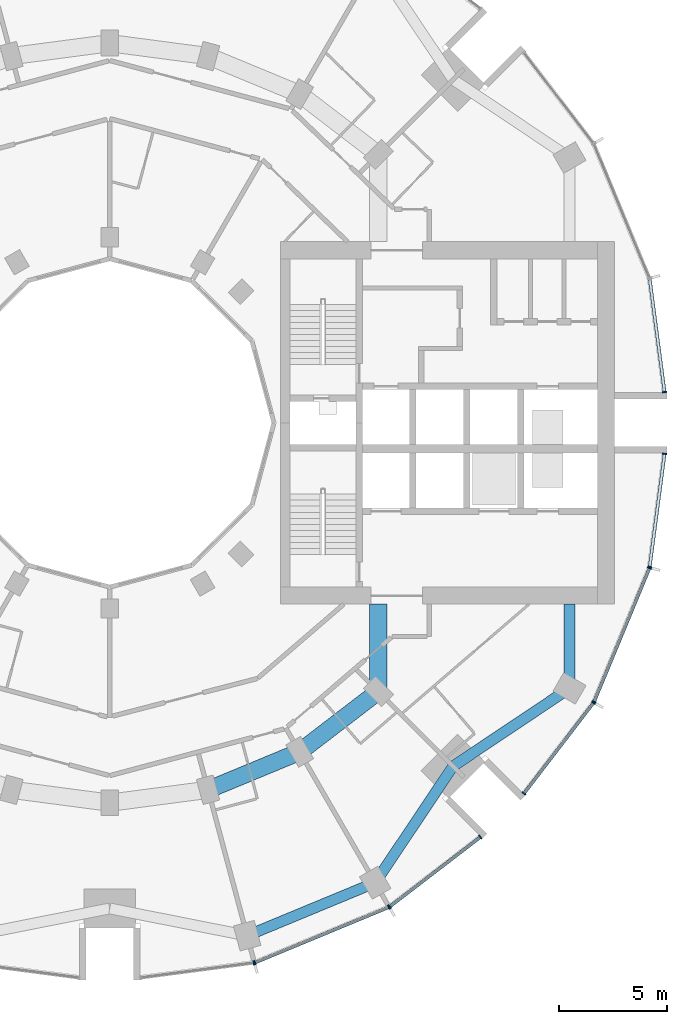
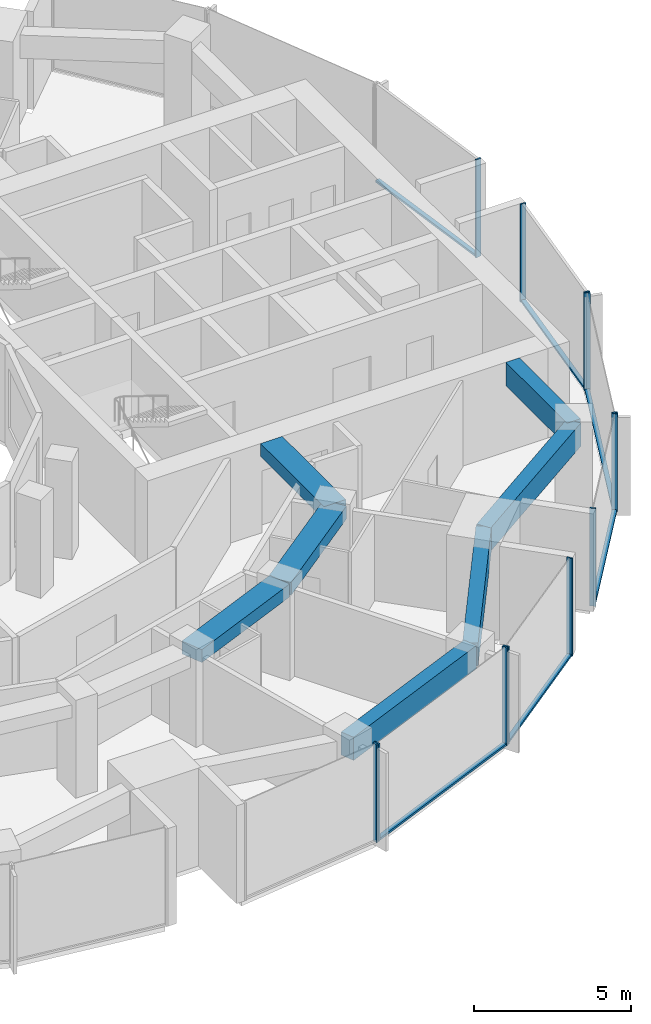
# One storey, part 4 of 15: 18 members, 7 beams, 7 elements without a shape of their own.
"""IFC4 building model written with IfcOpenShell, lengths in metres."""

from ifc_helpers import new_model, si_unit, direction, frame, origin, origin_2d, place, context, subcontext, project, spatial, rectangle, extrude, material, layer, layer_set, material_profile, profile_set, type_object, element, aggregate, save


model = new_model("IFC4")

# Units and contexts
model_context = context("Model", 3, precision=1e-05, world=origin(), true_north=direction((0.0, 1.0)))
body_context = subcontext(model_context, "Body", "Model", "MODEL_VIEW")
ifc_project = project(units=[si_unit("LENGTHUNIT", "METRE"), si_unit("AREAUNIT", "SQUARE_METRE"), si_unit("VOLUMEUNIT", "CUBIC_METRE"), si_unit("PLANEANGLEUNIT", "RADIAN"), si_unit("MASSUNIT", "GRAM", prefix="KILO")], contexts=[model_context])

# Site, building, storey
site_placement = place(None, origin())
site = spatial("IfcSite", under=ifc_project, at=site_placement, CompositionType="ELEMENT")
building_placement = place(site_placement, origin())
building = spatial("IfcBuilding", under=site, at=building_placement, Name="Torre Brocal", CompositionType="ELEMENT")
storey_placement = place(building_placement, frame((0.0, 0.0, 93.800048828125)))
storey = spatial("IfcBuildingStorey", under=building, at=storey_placement, Name="L21", CompositionType="ELEMENT", Elevation=93.800048828125)

# Curtain wall, member
ifc_material_1 = material(Name="Aluminium and glass", Category="aluminium")
ifc_layer_1 = layer(ifc_material_1, 0.199951171875)
ifc_layer_set_1 = layer_set([ifc_layer_1], Name="Aluminium and glass")
curtain_wall_type_1 = type_object("IfcCurtainWallType", Name="CW-1 CURTAIN WALL 3800 HIGH", PredefinedType="NOTDEFINED", material=ifc_layer_set_1)
curtain_wall_1_placement = place(storey_placement, origin())
curtain_wall_1 = element("IfcCurtainWall", 1, at=curtain_wall_1_placement, inside=storey, type_object=curtain_wall_type_1, Name="CW-1 RUN 19", PredefinedType="NOTDEFINED")
ifc_material_2 = material(Name="Aluminium, dark anodised", Category="aluminium")
ifc_material_profile_1 = material_profile(ifc_material_2, rectangle(XDim=0.199951171875, YDim=0.06005859375, at=origin_2d()), Name="CW-1 MULLION 60X200")
ifc_profile_set_1 = profile_set([ifc_material_profile_1], Name="Aluminium, dark anodised")
member_type_1 = type_object("IfcMemberType", Name="CW-1 MULLION 60X200", PredefinedType="MULLION", material=ifc_profile_set_1)
member_1_placement = place(storey_placement, frame((86.67333984375, 49.9794921875, 0.0), z_axis=(0.0, 0.0, 1.0), x_axis=(-0.13052619222, 0.991444861374, 0.0)))
member_1 = element("IfcMember", 2, at=member_1_placement, type_object=member_type_1, Name="CW1-1 mullion 2", PredefinedType="MULLION", context=body_context, shape_type="SweptSolid", body=[
    extrude(rectangle(XDim=0.199951171875, YDim=0.06005859375, at=origin_2d()), origin(), (0.0, 0.0, 1.0), 3.800048828125),
])
aggregate(curtain_wall_1, [member_1])

# Curtain wall, members
curtain_wall_2_placement = place(storey_placement, origin())
curtain_wall_2 = element("IfcCurtainWall", 3, at=curtain_wall_2_placement, inside=storey, type_object=curtain_wall_type_1, Name="CW-1 RUN 20", PredefinedType="NOTDEFINED")
member_2_placement = place(storey_placement, frame((86.73095703125, 49.994873046875, 0.0), z_axis=(0.0, 0.0, 1.0), x_axis=(-0.382683432333, 0.923879532525, 0.0)))
member_2 = element("IfcMember", 4, at=member_2_placement, type_object=member_type_1, Name="CW1-1 mullion 1", PredefinedType="MULLION", context=body_context, shape_type="SweptSolid", body=[
    extrude(rectangle(XDim=0.199951171875, YDim=0.06005859375, at=origin_2d()), origin(), (0.0, 0.0, 1.0), 3.800048828125),
])
member_3_placement = place(storey_placement, frame((92.921875, 52.559326171875, 0.0), z_axis=(0.0, 0.0, 1.0), x_axis=(-0.382683432333, 0.923879532525, 0.0)))
member_3 = element("IfcMember", 5, at=member_3_placement, type_object=member_type_1, Name="CW1-1 mullion 2", PredefinedType="MULLION", context=body_context, shape_type="SweptSolid", body=[
    extrude(rectangle(XDim=0.199951171875, YDim=0.06005859375, at=origin_2d()), origin(), (0.0, 0.0, 1.0), 3.800048828125),
])

curtain_wall_3_placement = place(storey_placement, origin())
curtain_wall_3 = element("IfcCurtainWall", 6, at=curtain_wall_3_placement, inside=storey, type_object=curtain_wall_type_1, Name="CW-1 RUN 21", PredefinedType="NOTDEFINED")
member_4_placement = place(storey_placement, frame((92.973388671875, 52.5888671875, 0.0), z_axis=(0.0, 0.0, 1.0), x_axis=(-0.60876142905, 0.793353340259, 0.0)))
member_4 = element("IfcMember", 7, at=member_4_placement, type_object=member_type_1, Name="CW1-1 mullion 1", PredefinedType="MULLION", context=body_context, shape_type="SweptSolid", body=[
    extrude(rectangle(XDim=0.199951171875, YDim=0.06005859375, at=origin_2d()), origin(), (0.0, 0.0, 1.0), 3.800048828125),
])
member_5_placement = place(storey_placement, frame((97.16943359375, 55.80859375, 0.0), z_axis=(0.0, 0.0, 1.0), x_axis=(-0.60876142905, 0.793353340259, 0.0)))
member_5 = element("IfcMember", 8, at=member_5_placement, type_object=member_type_1, Name="CW1-1 mullion 2", PredefinedType="MULLION", context=body_context, shape_type="SweptSolid", body=[
    extrude(rectangle(XDim=0.199951171875, YDim=0.06005859375, at=origin_2d()), origin(), (0.0, 0.0, 1.0), 3.800048828125),
])

curtain_wall_4_placement = place(storey_placement, origin())
curtain_wall_4 = element("IfcCurtainWall", 9, at=curtain_wall_4_placement, inside=storey, type_object=curtain_wall_type_1, Name="CW-1 RUN 22", PredefinedType="NOTDEFINED")
member_6_placement = place(storey_placement, frame((99.19140625, 57.83056640625, 0.0), z_axis=(0.0, 0.0, 1.0), x_axis=(-0.793353340259, 0.60876142905, 0.0)))
member_6 = element("IfcMember", 10, at=member_6_placement, type_object=member_type_1, Name="CW1-1 mullion 1", PredefinedType="MULLION", context=body_context, shape_type="SweptSolid", body=[
    extrude(rectangle(XDim=0.199951171875, YDim=0.06005859375, at=origin_2d()), origin(), (0.0, 0.0, 1.0), 3.800048828125),
])
member_7_placement = place(storey_placement, frame((102.4111328125, 62.026611328125, 0.0), z_axis=(0.0, 0.0, 1.0), x_axis=(-0.793353340259, 0.60876142905, 0.0)))
member_7 = element("IfcMember", 11, at=member_7_placement, type_object=member_type_1, Name="CW1-1 mullion 2", PredefinedType="MULLION", context=body_context, shape_type="SweptSolid", body=[
    extrude(rectangle(XDim=0.199951171875, YDim=0.06005859375, at=origin_2d()), origin(), (0.0, 0.0, 1.0), 3.800048828125),
])

curtain_wall_5_placement = place(storey_placement, origin())
curtain_wall_5 = element("IfcCurtainWall", 12, at=curtain_wall_5_placement, inside=storey, type_object=curtain_wall_type_1, Name="CW-1 RUN 23", PredefinedType="NOTDEFINED")
member_8_placement = place(storey_placement, frame((102.440673828125, 62.078125, 0.0), z_axis=(0.0, 0.0, 1.0), x_axis=(-0.923879532525, 0.382683432333, 0.0)))
member_8 = element("IfcMember", 13, at=member_8_placement, type_object=member_type_1, Name="CW1-1 mullion 1", PredefinedType="MULLION", context=body_context, shape_type="SweptSolid", body=[
    extrude(rectangle(XDim=0.199951171875, YDim=0.06005859375, at=origin_2d()), origin(), (0.0, 0.0, 1.0), 3.800048828125),
])
member_9_placement = place(storey_placement, frame((105.005126953125, 68.26904296875, 0.0), z_axis=(0.0, 0.0, 1.0), x_axis=(-0.923879532525, 0.382683432333, 0.0)))
member_9 = element("IfcMember", 14, at=member_9_placement, type_object=member_type_1, Name="CW1-1 mullion 2", PredefinedType="MULLION", context=body_context, shape_type="SweptSolid", body=[
    extrude(rectangle(XDim=0.199951171875, YDim=0.06005859375, at=origin_2d()), origin(), (0.0, 0.0, 1.0), 3.800048828125),
])

# Member
ifc_material_3 = material(Name="Aluminium, dark anodised", Category="aluminium")
ifc_material_profile_2 = material_profile(ifc_material_3, rectangle(XDim=0.159912109375, YDim=0.080078125, at=origin_2d()), Name="CW-1 TRANSOM 160X80")
ifc_profile_set_2 = profile_set([ifc_material_profile_2], Name="Aluminium, dark anodised")
member_type_2 = type_object("IfcMemberType", Name="CW-1 TRANSOM 160X80", PredefinedType="USERDEFINED", material=ifc_profile_set_2)
member_10_placement = place(storey_placement, frame((86.758544921875, 50.00634765625, 0.0400390625), z_axis=(0.923887344364, 0.38266457234, 0.0), x_axis=(-0.38266457234, 0.923887344364, 0.0)))
member_10 = element("IfcMember", 15, at=member_10_placement, type_object=member_type_2, Name="CW1-1 transom 1.1", ObjectType="TRANSOM", PredefinedType="USERDEFINED", context=body_context, shape_type="SweptSolid", body=[
    extrude(rectangle(XDim=0.159912109375, YDim=0.080078125, at=origin_2d()), origin(), (0.0, 0.0, 1.0), 6.640869140625),
])

aggregate(curtain_wall_2, [member_2, member_3, member_10])

member_11_placement = place(storey_placement, frame((92.9970703125, 52.607177734375, 0.0400390625), z_axis=(0.79336281513, 0.60874908096, 0.0), x_axis=(-0.60874908096, 0.79336281513, 0.0)))
member_11 = element("IfcMember", 16, at=member_11_placement, type_object=member_type_2, Name="CW1-1 transom 1.1", ObjectType="TRANSOM", PredefinedType="USERDEFINED", context=body_context, shape_type="SweptSolid", body=[
    extrude(rectangle(XDim=0.159912109375, YDim=0.080078125, at=origin_2d()), origin(), (0.0, 0.0, 1.0), 5.22900390625),
])

aggregate(curtain_wall_3, [member_4, member_5, member_11])

member_12_placement = place(storey_placement, frame((99.209716796875, 57.8544921875, 0.0400390625), z_axis=(0.60874908096, 0.79336281513, 0.0), x_axis=(-0.79336281513, 0.60874908096, 0.0)))
member_12 = element("IfcMember", 17, at=member_12_placement, type_object=member_type_2, Name="CW1-1 transom 1.1", ObjectType="TRANSOM", PredefinedType="USERDEFINED", context=body_context, shape_type="SweptSolid", body=[
    extrude(rectangle(XDim=0.159912109375, YDim=0.080078125, at=origin_2d()), origin(), (0.0, 0.0, 1.0), 5.22900390625),
])

aggregate(curtain_wall_4, [member_6, member_7, member_12])

member_13_placement = place(storey_placement, frame((102.452392578125, 62.10595703125, 0.0400390625), z_axis=(0.38266457234, 0.923887344364, 0.0), x_axis=(-0.923887344364, 0.38266457234, 0.0)))
member_13 = element("IfcMember", 18, at=member_13_placement, type_object=member_type_2, Name="CW1-1 transom 1.1", ObjectType="TRANSOM", PredefinedType="USERDEFINED", context=body_context, shape_type="SweptSolid", body=[
    extrude(rectangle(XDim=0.159912109375, YDim=0.080078125, at=origin_2d()), origin(), (0.0, 0.0, 1.0), 6.640869140625),
])

aggregate(curtain_wall_5, [member_8, member_9, member_13])

# Curtain wall, member
ifc_material_4 = material(Name="Aluminium and glass", Category="aluminium")
ifc_layer_2 = layer(ifc_material_4, 0.199951171875)
ifc_layer_set_2 = layer_set([ifc_layer_2], Name="Aluminium and glass")
curtain_wall_type_2 = type_object("IfcCurtainWallType", Name="CW-1B CURTAIN WALL 3800 HIGH", PredefinedType="NOTDEFINED", material=ifc_layer_set_2)
curtain_wall_6_placement = place(storey_placement, origin())
curtain_wall_6 = element("IfcCurtainWall", 19, at=curtain_wall_6_placement, inside=storey, type_object=curtain_wall_type_2, Name="CW-1B RUN 1", PredefinedType="NOTDEFINED")
ifc_material_5 = material(Name="Aluminium, dark anodised", Category="aluminium")
ifc_material_profile_3 = material_profile(ifc_material_5, rectangle(XDim=0.199951171875, YDim=0.06005859375, at=origin_2d()), Name="CW-1B MULLION 60X200")
ifc_profile_set_3 = profile_set([ifc_material_profile_3], Name="Aluminium, dark anodised")
member_type_3 = type_object("IfcMemberType", Name="CW-1B MULLION 60X200", PredefinedType="MULLION", material=ifc_profile_set_3)
member_14_placement = place(storey_placement, frame((105.7109375, 76.4296875, 0.0), z_axis=(0.0, 0.0, 1.0), x_axis=(-0.991444861374, -0.13052619222, 0.0)))
member_14 = element("IfcMember", 20, at=member_14_placement, type_object=member_type_3, Name="CW1B-1 mullion 1", PredefinedType="MULLION", context=body_context, shape_type="SweptSolid", body=[
    extrude(rectangle(XDim=0.199951171875, YDim=0.06005859375, at=origin_2d()), origin(), (0.0, 0.0, 1.0), 3.800048828125),
])

# Curtain wall, members
curtain_wall_7_placement = place(storey_placement, origin())
curtain_wall_7 = element("IfcCurtainWall", 21, at=curtain_wall_7_placement, inside=storey, type_object=curtain_wall_type_2, Name="CW-1B RUN 24", PredefinedType="NOTDEFINED")
member_15_placement = place(storey_placement, frame((105.0205078125, 68.32666015625, 0.0), z_axis=(0.0, 0.0, 1.0), x_axis=(-0.991444861374, 0.13052619222, 0.0)))
member_15 = element("IfcMember", 22, at=member_15_placement, type_object=member_type_3, Name="CW1B-1 mullion 1", PredefinedType="MULLION", context=body_context, shape_type="SweptSolid", body=[
    extrude(rectangle(XDim=0.199951171875, YDim=0.06005859375, at=origin_2d()), origin(), (0.0, 0.0, 1.0), 3.800048828125),
])
member_16_placement = place(storey_placement, frame((105.7109375, 73.5703125, 0.0), z_axis=(0.0, 0.0, 1.0), x_axis=(-0.991444861374, 0.13052619222, 0.0)))
member_16 = element("IfcMember", 23, at=member_16_placement, type_object=member_type_3, Name="CW1B-1 mullion 2", PredefinedType="MULLION", context=body_context, shape_type="SweptSolid", body=[
    extrude(rectangle(XDim=0.199951171875, YDim=0.06005859375, at=origin_2d()), origin(), (0.0, 0.0, 1.0), 3.800048828125),
])

# Member
ifc_material_6 = material(Name="Aluminium, dark anodised", Category="aluminium")
ifc_material_profile_4 = material_profile(ifc_material_6, rectangle(XDim=0.159912109375, YDim=0.080078125, at=origin_2d()), Name="CW-1B TRANSOM 160X80")
ifc_profile_set_4 = profile_set([ifc_material_profile_4], Name="Aluminium, dark anodised")
member_type_4 = type_object("IfcMemberType", Name="CW-1B TRANSOM 160X80", PredefinedType="USERDEFINED", material=ifc_profile_set_4)
member_17_placement = place(storey_placement, frame((105.70703125, 76.45947265625, 0.0400390625), z_axis=(-0.130542677827, 0.991442690863, 0.0), x_axis=(-0.991442690863, -0.130542677827, 0.0)))
member_17 = element("IfcMember", 24, at=member_17_placement, type_object=member_type_4, Name="CW1B-1 transom 1.1", ObjectType="TRANSOM", PredefinedType="USERDEFINED", context=body_context, shape_type="SweptSolid", body=[
    extrude(rectangle(XDim=0.159912109375, YDim=0.080078125, at=origin_2d()), origin(), (0.0, 0.0, 1.0), 5.22900390625),
])

aggregate(curtain_wall_6, [member_14, member_17])

member_18_placement = place(storey_placement, frame((105.0244140625, 68.356201171875, 0.0400390625), z_axis=(0.130542677827, 0.991442690863, 0.0), x_axis=(-0.991442690863, 0.130542677827, 0.0)))
member_18 = element("IfcMember", 25, at=member_18_placement, type_object=member_type_4, Name="CW1B-1 transom 1.1", ObjectType="TRANSOM", PredefinedType="USERDEFINED", context=body_context, shape_type="SweptSolid", body=[
    extrude(rectangle(XDim=0.159912109375, YDim=0.080078125, at=origin_2d()), origin(), (0.0, 0.0, 1.0), 5.22900390625),
])

aggregate(curtain_wall_7, [member_15, member_16, member_18])

# Beams
ifc_material_7 = material(Name="Concrete C50", Category="concrete")
ifc_material_profile_5 = material_profile(ifc_material_7, rectangle(XDim=0.800048828125, YDim=0.5, at=origin_2d()), Name="RC 800X500")
ifc_profile_set_5 = profile_set([ifc_material_profile_5], Name="Concrete C50")
beam_type_1 = type_object("IfcBeamType", Name="RC BEAM 800X500 C50 TOP 3480", PredefinedType="BEAM", material=ifc_profile_set_5)
beam_1_placement = place(storey_placement, frame((84.55517578125, 57.999755859375, 3.22998046875), z_axis=(0.923878240166, 0.382686552348, 0.0), x_axis=(-0.382686552348, 0.923878240166, 0.0)))
element("IfcBeam", 26, at=beam_1_placement, inside=storey, type_object=beam_type_1, Name="Beam BT-19", PredefinedType="BEAM", context=body_context, shape_type="SweptSolid", body=[
    extrude(rectangle(XDim=0.800048828125, YDim=0.5, at=origin_2d()), origin(), (0.0, 0.0, 1.0), 4.5947265625),
])
beam_2_placement = place(storey_placement, frame((88.800048828125, 59.758056640625, 3.22998046875), z_axis=(0.793358265959, 0.6087550097, 0.0), x_axis=(-0.6087550097, 0.793358265959, 0.0)))
element("IfcBeam", 27, at=beam_2_placement, inside=storey, type_object=beam_type_1, Name="Beam BT-19", PredefinedType="BEAM", context=body_context, shape_type="SweptSolid", body=[
    extrude(rectangle(XDim=0.800048828125, YDim=0.5, at=origin_2d()), origin(), (0.0, 0.0, 1.0), 4.594482421875),
])
beam_3_placement = place(storey_placement, frame((92.445068359375, 62.554931640625, 3.22998046875), z_axis=(0.0, 1.0, 0.0), x_axis=(-1.0, 0.0, 0.0)))
element("IfcBeam", 28, at=beam_3_placement, inside=storey, type_object=beam_type_1, Name="Beam BT-19", PredefinedType="BEAM", context=body_context, shape_type="SweptSolid", body=[
    extrude(rectangle(XDim=0.800048828125, YDim=0.5, at=origin_2d()), origin(), (0.0, 0.0, 1.0), 4.045166015625),
])
ifc_material_8 = material(Name="Concrete C50", Category="concrete")
ifc_material_profile_6 = material_profile(ifc_material_8, rectangle(XDim=0.5, YDim=0.89990234375, at=origin_2d()), Name="RC 500X900")
ifc_profile_set_6 = profile_set([ifc_material_profile_6], Name="Concrete C50")
beam_type_2 = type_object("IfcBeamType", Name="RC SPANDREL BEAM 500X900 C50 TOP 3480", PredefinedType="SPANDREL", material=ifc_profile_set_6)
beam_4_placement = place(storey_placement, frame((86.366943359375, 51.23828125, 3.030029296875), z_axis=(0.923882462513, 0.382676358639, 0.0), x_axis=(-0.382676358639, 0.923882462513, 0.0)))
element("IfcBeam", 29, at=beam_4_placement, inside=storey, type_object=beam_type_2, Name="Beam BT-20", PredefinedType="SPANDREL", context=body_context, shape_type="SweptSolid", body=[
    extrude(rectangle(XDim=0.5, YDim=0.89990234375, at=origin_2d()), origin(), (0.0, 0.0, 1.0), 6.421875),
])
for number, where, z_axis, x_axis, name in (
    (30, (92.300048828125, 53.69580078125, 3.030029296875), (0.556157602282, 0.831076844476, 0.0), (-0.831076844476, 0.556157602282, 0.0), "Beam BT-20"),
    (31, (95.909912109375, 59.090087890625, 3.030029296875), (0.831076844476, 0.556157602282, 0.0), (-0.556157602282, 0.831076844476, 0.0), "Beam BT-20"),
):
    element("IfcBeam", number, at=place(storey_placement, frame(where, z_axis=z_axis, x_axis=x_axis)), inside=storey, type_object=beam_type_2, Name=name, PredefinedType="SPANDREL", context=body_context, shape_type="SweptSolid", body=[
        extrude(rectangle(XDim=0.5, YDim=0.89990234375, at=origin_2d()), origin(), (0.0, 0.0, 1.0), 6.49072265625),
    ])
beam_5_placement = place(storey_placement, frame((101.30419921875, 62.699951171875, 3.030029296875), z_axis=(0.0, 1.0, 0.0), x_axis=(-1.0, 0.0, 0.0)))
element("IfcBeam", 32, at=beam_5_placement, inside=storey, type_object=beam_type_2, Name="Beam BT-20", PredefinedType="SPANDREL", context=body_context, shape_type="SweptSolid", body=[
    extrude(rectangle(XDim=0.5, YDim=0.89990234375, at=origin_2d()), origin(), (0.0, 0.0, 1.0), 3.900146484375),
])

save(model, "model.ifc")
